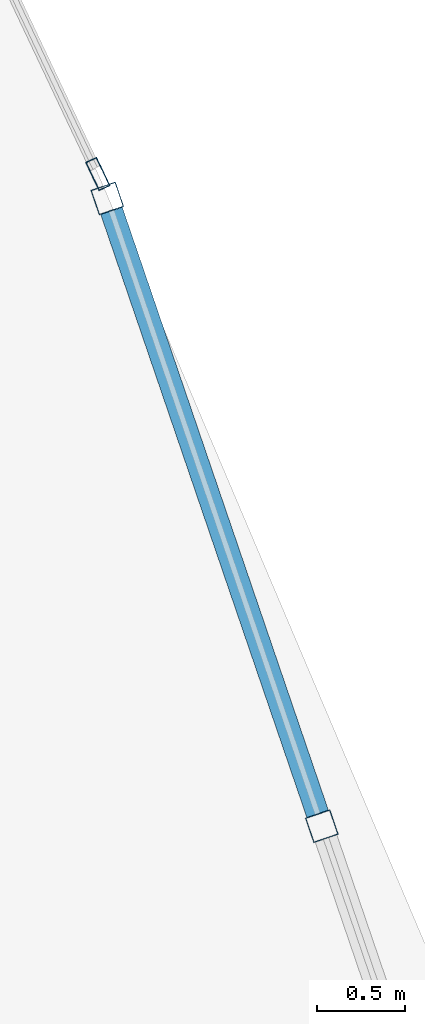
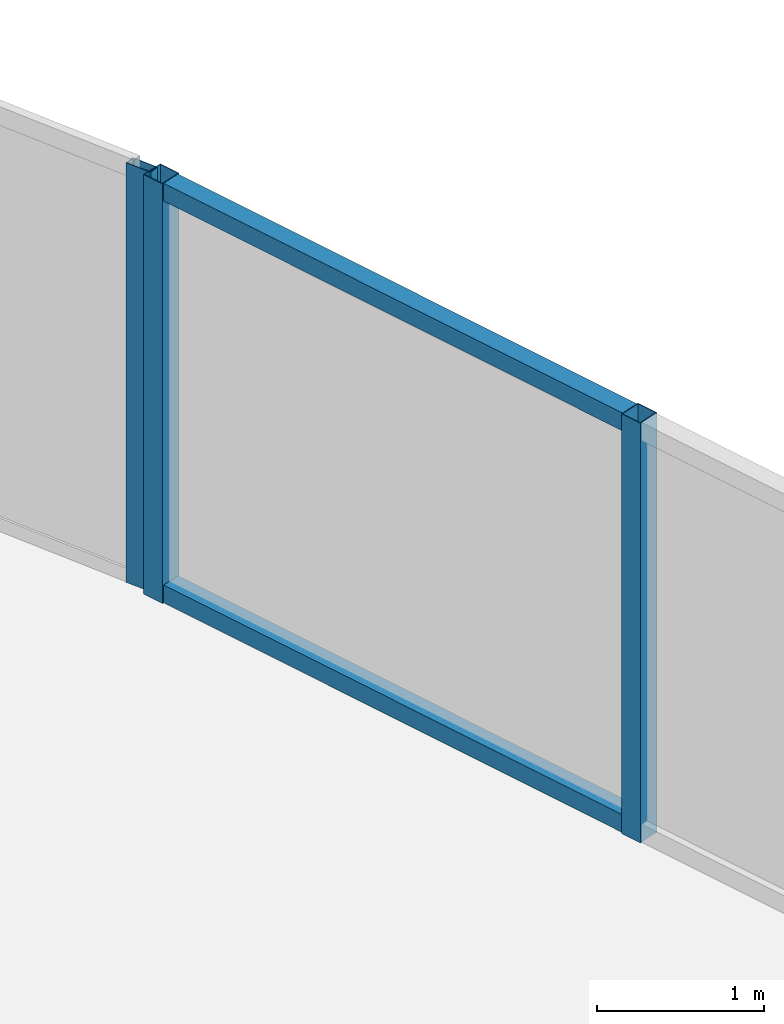
# One storey, part 17 of 33: 5 members, 2 elements without a shape of their own.
"""IFC4 building model written with IfcOpenShell, lengths in metres."""

from ifc_helpers import new_model, si_unit, direction, frame, origin, origin_2d, place, context, subcontext, project, spatial, hollow_rectangle, extrude, material, layer, layer_set, material_profile, profile_set, type_object, element, aggregate, save


model = new_model("IFC4")

# Units and contexts
model_context = context("Model", 3, precision=1e-05, world=origin(), true_north=direction((0.0, 1.0)))
body_context = subcontext(model_context, "Body", "Model", "MODEL_VIEW")
ifc_project = project(units=[si_unit("LENGTHUNIT", "METRE"), si_unit("AREAUNIT", "SQUARE_METRE"), si_unit("VOLUMEUNIT", "CUBIC_METRE"), si_unit("PLANEANGLEUNIT", "RADIAN"), si_unit("MASSUNIT", "GRAM", prefix="KILO")], contexts=[model_context])

# Site, building, storey
site_placement = place(None, origin())
site = spatial("IfcSite", under=ifc_project, at=site_placement, CompositionType="ELEMENT")
building_placement = place(site_placement, origin())
building = spatial("IfcBuilding", under=site, at=building_placement, Name="Orvanel Arch Residences", CompositionType="ELEMENT")
storey_placement = place(building_placement, frame((0.0, 0.0, 84.050048828125)))
storey = spatial("IfcBuildingStorey", under=building, at=storey_placement, Name="L23", CompositionType="ELEMENT", Elevation=84.050048828125)

# Curtain wall, members
ifc_material = material(Name="Bronze-anodised aluminium AA6063-T6", Category="aluminium")
ifc_layer_1 = layer(ifc_material, 0.18994140625)
ifc_layer_set_1 = layer_set([ifc_layer_1], Name="Bronze-anodised aluminium AA6063-T6")
curtain_wall_type_1 = type_object("IfcCurtainWallType", Name="CW5-CRN-SYS", PredefinedType="NOTDEFINED", material=ifc_layer_set_1)
curtain_wall_1_placement = place(storey_placement, origin())
curtain_wall_1 = element("IfcCurtainWall", 1, at=curtain_wall_1_placement, inside=storey, type_object=curtain_wall_type_1, Name="L23 CW5-CRN-SYS Unitised Curtain Wall", PredefinedType="NOTDEFINED")
ifc_material_profile_1 = material_profile(ifc_material, hollow_rectangle(XDim=0.14990234375, YDim=0.14990234375, WallThickness=0.0048828125, at=origin_2d()), Name="ALU150x150x5")
ifc_profile_set_1 = profile_set([ifc_material_profile_1], Name="Bronze-anodised aluminium AA6063-T6")
member_type_1 = type_object("IfcMemberType", Name="MUL-150x150", PredefinedType="MULLION", material=ifc_profile_set_1)
member_1_placement = place(storey_placement, frame((59.096923828125, 10.01806640625, 0.0), z_axis=(0.0, 0.0, 1.0), x_axis=(-0.946249453403, -0.32343774043, 0.0)))
member_1 = element("IfcMember", 2, at=member_1_placement, type_object=member_type_1, Name="CW-S5 mullion 2", PredefinedType="MULLION", context=body_context, shape_type="SweptSolid", body=[
    extrude(hollow_rectangle(XDim=0.14990234375, YDim=0.14990234375, WallThickness=0.0048828125, at=origin_2d()), origin(), (0.0, 0.0, 1.0), 3.06005859375),
])
member_2_placement = place(storey_placement, frame((57.871337890625, 13.60400390625, 0.0), z_axis=(0.0, 0.0, 1.0), x_axis=(-0.946249453403, -0.32343774043, 0.0)))
member_2 = element("IfcMember", 3, at=member_2_placement, type_object=member_type_1, Name="CW-S5 mullion 3", PredefinedType="MULLION", context=body_context, shape_type="SweptSolid", body=[
    extrude(hollow_rectangle(XDim=0.14990234375, YDim=0.14990234375, WallThickness=0.0048828125, at=origin_2d()), origin(), (0.0, 0.0, 1.0), 3.06005859375),
])

# Curtain wall, member
ifc_layer_2 = layer(ifc_material, 0.179931640625)
ifc_layer_set_2 = layer_set([ifc_layer_2], Name="Bronze-anodised aluminium AA6063-T6")
curtain_wall_type_2 = type_object("IfcCurtainWallType", Name="CW2-LOW-SYS", PredefinedType="NOTDEFINED", material=ifc_layer_set_2)
curtain_wall_2_placement = place(storey_placement, origin())
curtain_wall_2 = element("IfcCurtainWall", 4, at=curtain_wall_2_placement, inside=storey, type_object=curtain_wall_type_2, Name="L23 CW2-LOW-SYS Unitised Curtain Wall", PredefinedType="NOTDEFINED")
ifc_material_profile_2 = material_profile(ifc_material, hollow_rectangle(XDim=0.070068359375, YDim=0.179931640625, WallThickness=0.00439453125, at=origin_2d()), Name="ALU180x70x4.5")
ifc_profile_set_2 = profile_set([ifc_material_profile_2], Name="Bronze-anodised aluminium AA6063-T6")
member_type_2 = type_object("IfcMemberType", Name="MUL-180x70", PredefinedType="MULLION", material=ifc_profile_set_2)
member_3_placement = place(storey_placement, frame((57.817138671875, 13.74365234375, 0.0), z_axis=(0.0, 0.0, 1.0), x_axis=(-0.904068803442, -0.427386942528, 0.0)))
member_3 = element("IfcMember", 5, at=member_3_placement, type_object=member_type_2, Name="CW-S2 mullion 1", PredefinedType="MULLION", context=body_context, shape_type="SweptSolid", body=[
    extrude(hollow_rectangle(XDim=0.070068359375, YDim=0.179931640625, WallThickness=0.00439453125, at=origin_2d()), origin(), (0.0, 0.0, 1.0), 3.06005859375),
])
aggregate(curtain_wall_2, [member_3])

# Member
ifc_material_profile_3 = material_profile(ifc_material, hollow_rectangle(XDim=0.1298828125, YDim=0.1298828125, WallThickness=0.00439453125, at=origin_2d()), Name="ALU130x130x4.5")
ifc_profile_set_3 = profile_set([ifc_material_profile_3], Name="Bronze-anodised aluminium AA6063-T6")
member_type_3 = type_object("IfcMemberType", Name="TRN-130x130", PredefinedType="USERDEFINED", material=ifc_profile_set_3)
member_4_placement = place(storey_placement, frame((59.07275390625, 10.0888671875, 0.06494140625), z_axis=(-0.323442733064, 0.946247746855, 0.0), x_axis=(-0.946247746855, -0.323442733064, 0.0)))
member_4 = element("IfcMember", 6, at=member_4_placement, type_object=member_type_3, Name="CW-S5 transom 2.1", ObjectType="TRANSOM", PredefinedType="USERDEFINED", context=body_context, shape_type="SweptSolid", body=[
    extrude(hollow_rectangle(XDim=0.1298828125, YDim=0.1298828125, WallThickness=0.00439453125, at=origin_2d()), origin(), (0.0, 0.0, 1.0), 3.6396484375),
])

member_5_placement = place(storey_placement, frame((59.07275390625, 10.0888671875, 2.994873046875), z_axis=(-0.323442733064, 0.946247746855, 0.0), x_axis=(-0.946247746855, -0.323442733064, 0.0)))
member_5 = element("IfcMember", 7, at=member_5_placement, type_object=member_type_3, Name="CW-S5 transom 2.2", ObjectType="TRANSOM", PredefinedType="USERDEFINED", context=body_context, shape_type="SweptSolid", body=[
    extrude(hollow_rectangle(XDim=0.1298828125, YDim=0.1298828125, WallThickness=0.00439453125, at=origin_2d()), origin(), (0.0, 0.0, 1.0), 3.6396484375),
])

aggregate(curtain_wall_1, [member_1, member_2, member_4, member_5])

save(model, "model.ifc")
